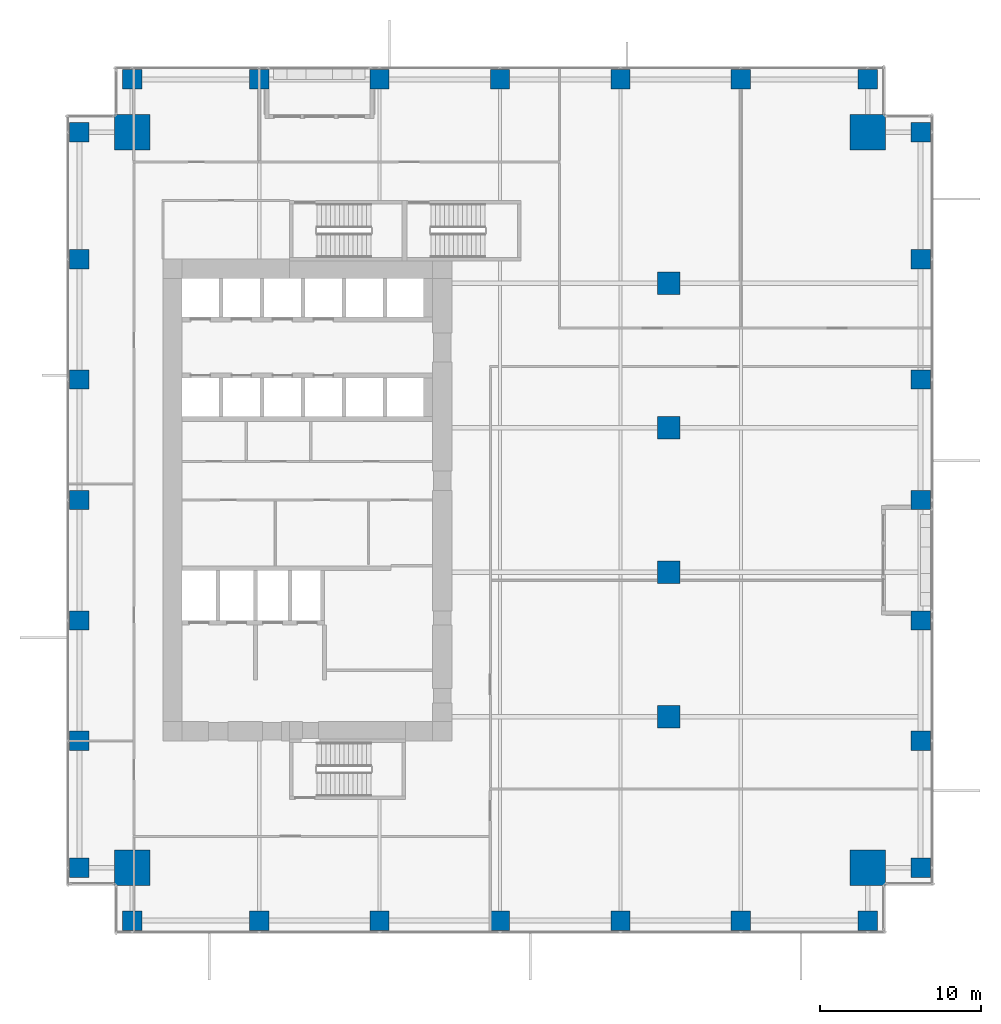
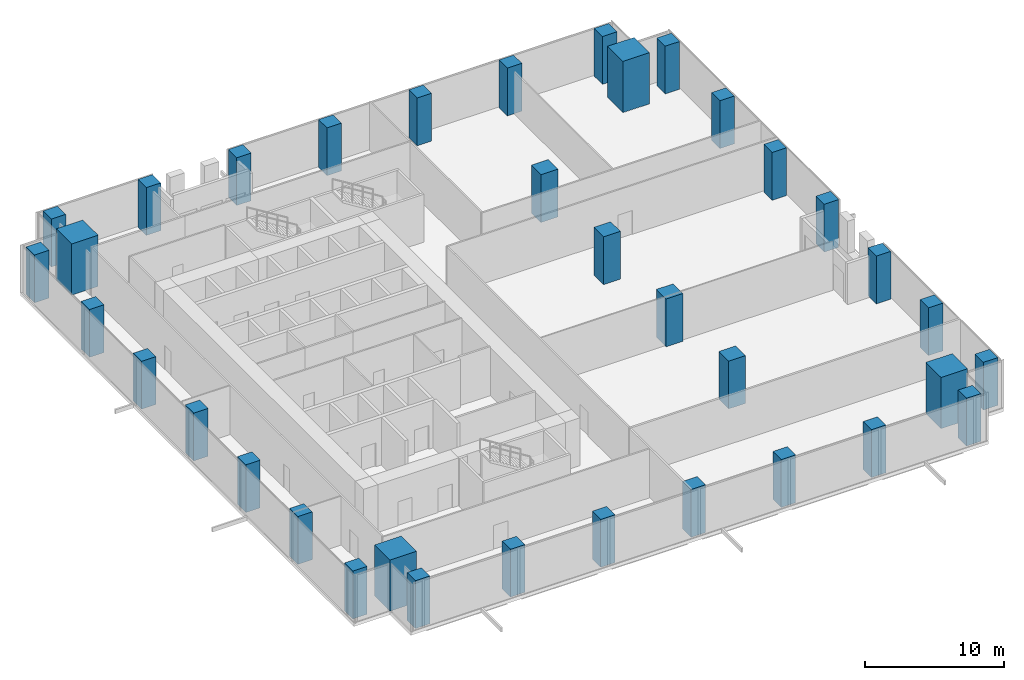
# One storey, part 1 of 33: 36 columns.
"""IFC4 building model written with IfcOpenShell, lengths in metres."""

from ifc_helpers import new_model, si_unit, direction, frame, origin, origin_2d, place, context, subcontext, project, spatial, rectangle, extrude, source, transform, mapped, material, material_profile, profile_set, type_object, element, save


model = new_model("IFC4")

# Units and contexts
model_context = context("Model", 3, precision=1e-05, world=origin(), true_north=direction((0.0, 1.0)))
body_context = subcontext(model_context, "Body", "Model", "MODEL_VIEW")
ifc_project = project(units=[si_unit("LENGTHUNIT", "METRE"), si_unit("AREAUNIT", "SQUARE_METRE"), si_unit("VOLUMEUNIT", "CUBIC_METRE"), si_unit("PLANEANGLEUNIT", "RADIAN"), si_unit("MASSUNIT", "GRAM", prefix="KILO")], contexts=[model_context])

# Site, building, storey
site_placement = place(None, origin())
site = spatial("IfcSite", under=ifc_project, at=site_placement, CompositionType="ELEMENT")
building_placement = place(site_placement, origin())
building = spatial("IfcBuilding", under=site, at=building_placement, Name="Khomas Fold Tower", CompositionType="ELEMENT")
storey_placement = place(building_placement, frame((0.0, 0.0, 78.0)))
storey = spatial("IfcBuildingStorey", under=building, at=storey_placement, Name="L16", CompositionType="ELEMENT", Elevation=78.0)

# Columns
ifc_material_1 = material(Name="Concrete C70/85", Category="concrete")
ifc_material_profile_1 = material_profile(ifc_material_1, rectangle(XDim=2.199951171875, YDim=2.199951171875, at=origin_2d()), Name="RC 2200x2200")
ifc_profile_set_1 = profile_set([ifc_material_profile_1], Name="Concrete C70/85")
column_type_1 = type_object("IfcColumnType", Name="RC 2200x2200 column", PredefinedType="COLUMN", material=ifc_profile_set_1)
shared_shape_1 = source(origin(), body_context, "Body", "SweptSolid", [
    extrude(rectangle(XDim=2.199951171875, YDim=2.199951171875, at=origin_2d()), origin(), (0.0, 0.0, 1.0), 4.5),
])
for number, where, z_axis, x_axis, name in (
    (1, (49.89990234375, 49.89990234375, 0.0), (0.0, 0.0, 1.0), (1.0, 0.0, 0.0), "CM-NE"),
    (2, (4.10009765625, 49.89990234375, 0.0), (0.0, 0.0, 1.0), (1.0, 0.0, 0.0), "CM-NW"),
    (3, (49.89990234375, 4.10009765625, 0.0), (0.0, 0.0, 1.0), (1.0, 0.0, 0.0), "CM-SE"),
    (4, (4.10009765625, 4.10009765625, 0.0), (0.0, 0.0, 1.0), (1.0, 0.0, 0.0), "CM-SW"),
):
    element("IfcColumn", number, at=place(storey_placement, frame(where, z_axis=z_axis, x_axis=x_axis)), inside=storey, type_object=column_type_1, Name=name, PredefinedType="COLUMN", context=body_context, shape_type="MappedRepresentation", body=[
        mapped(shared_shape_1, transform((0.0, 0.0, 0.0))),
    ])
ifc_material_2 = material(Name="Concrete C60/75", Category="concrete")
ifc_material_profile_2 = material_profile(ifc_material_2, rectangle(XDim=1.199951171875, YDim=1.199951171875, at=origin_2d()), Name="RC 1200x1200")
ifc_profile_set_2 = profile_set([ifc_material_profile_2], Name="Concrete C60/75")
column_type_2 = type_object("IfcColumnType", Name="RC 1200x1200 column", PredefinedType="COLUMN", material=ifc_profile_set_2)
shared_shape_2 = source(origin(), body_context, "Body", "SweptSolid", [
    extrude(rectangle(XDim=1.199951171875, YDim=1.199951171875, at=origin_2d()), origin(), (0.0, 0.0, 1.0), 4.199951171875),
])
for number, where, z_axis, x_axis, name in (
    (5, (4.10009765625, 0.800048828125, 0.0), (0.0, 0.0, 1.0), (1.0, 0.0, 0.0), "C-2-SF1"),
    (6, (12.0, 0.800048828125, 0.0), (0.0, 0.0, 1.0), (1.0, 0.0, 0.0), "C-6-SF1"),
    (7, (19.5, 0.800048828125, 0.0), (0.0, 0.0, 1.0), (1.0, 0.0, 0.0), "C-8-SF1"),
    (8, (27.0, 0.800048828125, 0.0), (0.0, 0.0, 1.0), (1.0, 0.0, 0.0), "C-9-SF1"),
    (9, (34.5, 0.800048828125, 0.0), (0.0, 0.0, 1.0), (1.0, 0.0, 0.0), "C-10-SF1"),
    (10, (42.0, 0.800048828125, 0.0), (0.0, 0.0, 1.0), (1.0, 0.0, 0.0), "C-13-SF1"),
    (11, (49.89990234375, 0.800048828125, 0.0), (0.0, 0.0, 1.0), (1.0, 0.0, 0.0), "C-17-SF1"),
    (12, (53.199951171875, 4.10009765625, 0.0), (0.0, 0.0, 1.0), (1.0, 0.0, 0.0), "C-E1-A"),
    (13, (53.199951171875, 12.0, 0.0), (0.0, 0.0, 1.0), (1.0, 0.0, 0.0), "C-E1-F"),
    (14, (53.199951171875, 19.5, 0.0), (0.0, 0.0, 1.0), (1.0, 0.0, 0.0), "C-E1-J"),
    (15, (53.199951171875, 27.0, 0.0), (0.0, 0.0, 1.0), (1.0, 0.0, 0.0), "C-E1-L"),
    (16, (53.199951171875, 34.5, 0.0), (0.0, 0.0, 1.0), (1.0, 0.0, 0.0), "C-E1-N"),
    (17, (53.199951171875, 42.0, 0.0), (0.0, 0.0, 1.0), (1.0, 0.0, 0.0), "C-E1-R"),
    (18, (53.199951171875, 49.89990234375, 0.0), (0.0, 0.0, 1.0), (1.0, 0.0, 0.0), "C-E1-W"),
    (19, (4.10009765625, 53.199951171875, 0.0), (0.0, 0.0, 1.0), (1.0, 0.0, 0.0), "C-2-NF1"),
    (20, (12.0, 53.199951171875, 0.0), (0.0, 0.0, 1.0), (1.0, 0.0, 0.0), "C-6-NF1"),
    (21, (19.5, 53.199951171875, 0.0), (0.0, 0.0, 1.0), (1.0, 0.0, 0.0), "C-8-NF1"),
    (22, (27.0, 53.199951171875, 0.0), (0.0, 0.0, 1.0), (1.0, 0.0, 0.0), "C-9-NF1"),
    (23, (34.5, 53.199951171875, 0.0), (0.0, 0.0, 1.0), (1.0, 0.0, 0.0), "C-10-NF1"),
    (24, (42.0, 53.199951171875, 0.0), (0.0, 0.0, 1.0), (1.0, 0.0, 0.0), "C-13-NF1"),
    (25, (49.89990234375, 53.199951171875, 0.0), (0.0, 0.0, 1.0), (1.0, 0.0, 0.0), "C-17-NF1"),
    (26, (0.800048828125, 4.10009765625, 0.0), (0.0, 0.0, 1.0), (1.0, 0.0, 0.0), "C-W1-A"),
    (27, (0.800048828125, 12.0, 0.0), (0.0, 0.0, 1.0), (1.0, 0.0, 0.0), "C-W1-F"),
    (28, (0.800048828125, 19.5, 0.0), (0.0, 0.0, 1.0), (1.0, 0.0, 0.0), "C-W1-J"),
    (29, (0.800048828125, 27.0, 0.0), (0.0, 0.0, 1.0), (1.0, 0.0, 0.0), "C-W1-L"),
    (30, (0.800048828125, 34.5, 0.0), (0.0, 0.0, 1.0), (1.0, 0.0, 0.0), "C-W1-N"),
    (31, (0.800048828125, 42.0, 0.0), (0.0, 0.0, 1.0), (1.0, 0.0, 0.0), "C-W1-R"),
    (32, (0.800048828125, 49.89990234375, 0.0), (0.0, 0.0, 1.0), (1.0, 0.0, 0.0), "C-W1-W"),
):
    element("IfcColumn", number, at=place(storey_placement, frame(where, z_axis=z_axis, x_axis=x_axis)), inside=storey, type_object=column_type_2, Name=name, PredefinedType="COLUMN", context=body_context, shape_type="MappedRepresentation", body=[
        mapped(shared_shape_2, transform((0.0, 0.0, 0.0))),
    ])
ifc_material_3 = material(Name="Concrete C60/75", Category="concrete")
ifc_material_profile_3 = material_profile(ifc_material_3, rectangle(XDim=1.39990234375, YDim=1.39990234375, at=origin_2d()), Name="RC 1400x1400")
ifc_profile_set_3 = profile_set([ifc_material_profile_3], Name="Concrete C60/75")
column_type_3 = type_object("IfcColumnType", Name="RC 1400x1400 column", PredefinedType="COLUMN", material=ifc_profile_set_3)
shared_shape_3 = source(origin(), body_context, "Body", "SweptSolid", [
    extrude(rectangle(XDim=1.39990234375, YDim=1.39990234375, at=origin_2d()), origin(), (0.0, 0.0, 1.0), 4.199951171875),
])
for number, where, z_axis, x_axis, name in (
    (33, (37.5, 13.5, 0.0), (0.0, 0.0, 1.0), (1.0, 0.0, 0.0), "C-11-H"),
    (34, (37.5, 22.5, 0.0), (0.0, 0.0, 1.0), (1.0, 0.0, 0.0), "C-11-K"),
    (35, (37.5, 31.5, 0.0), (0.0, 0.0, 1.0), (1.0, 0.0, 0.0), "C-11-M"),
    (36, (37.5, 40.5, 0.0), (0.0, 0.0, 1.0), (1.0, 0.0, 0.0), "C-11-P"),
):
    element("IfcColumn", number, at=place(storey_placement, frame(where, z_axis=z_axis, x_axis=x_axis)), inside=storey, type_object=column_type_3, Name=name, PredefinedType="COLUMN", context=body_context, shape_type="MappedRepresentation", body=[
        mapped(shared_shape_3, transform((0.0, 0.0, 0.0))),
    ])

save(model, "model.ifc")
